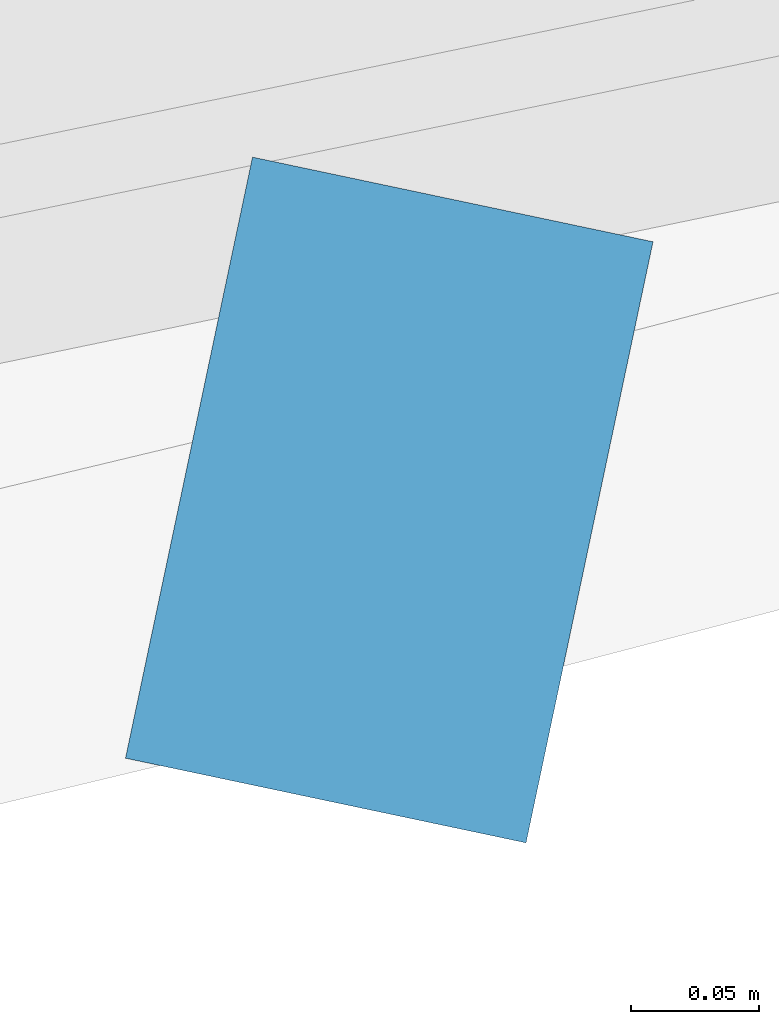
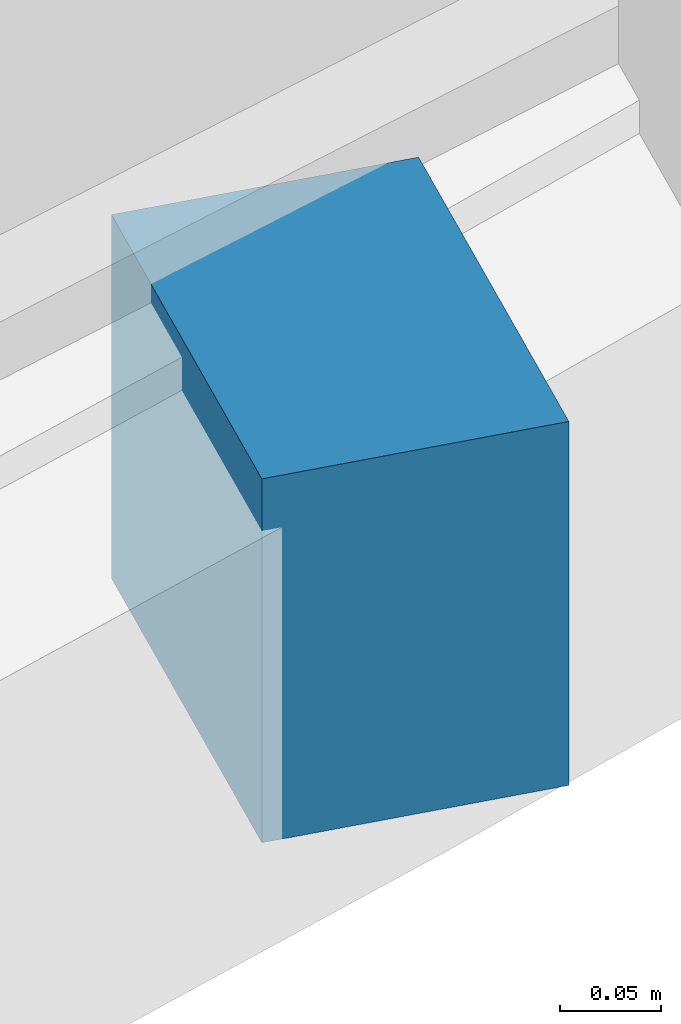
# One storey, part 12 of 18: 1 discrete accessory.
"""IFC4 building model written with IfcOpenShell, lengths in metres."""

from ifc_helpers import new_model, si_unit, direction, frame, origin, origin_2d, place, context, subcontext, project, spatial, rectangle, extrude, material, type_object, element, save


model = new_model("IFC4")

# Units and contexts
model_context = context("Model", 3, precision=1e-05, world=origin(), true_north=direction((0.0, 1.0)))
body_context = subcontext(model_context, "Body", "Model", "MODEL_VIEW")
ifc_project = project(units=[si_unit("LENGTHUNIT", "METRE"), si_unit("AREAUNIT", "SQUARE_METRE"), si_unit("VOLUMEUNIT", "CUBIC_METRE"), si_unit("PLANEANGLEUNIT", "RADIAN"), si_unit("MASSUNIT", "GRAM", prefix="KILO")], contexts=[model_context])

# Site, building, storey
site_placement = place(None, origin())
site = spatial("IfcSite", under=ifc_project, at=site_placement, CompositionType="ELEMENT")
building_placement = place(site_placement, origin())
building = spatial("IfcBuilding", under=site, at=building_placement, Name="Savorim Split Tower", CompositionType="ELEMENT")
storey_placement = place(building_placement, frame((0.0, 0.0, 40.800048828125)))
storey = spatial("IfcBuildingStorey", under=building, at=storey_placement, Name="L10", CompositionType="ELEMENT", Elevation=40.800048828125)

# Discrete accessory
ifc_material = material(Name="Steel S355", Category="steel")
discrete_accessory_type = type_object("IfcDiscreteAccessoryType", Name="ACC-BRK-FIN", PredefinedType="BRACKET", material=ifc_material)
discrete_accessory_placement = place(storey_placement, frame((26.241943359375, -19.881591796875, -0.18994140625), z_axis=(0.0, 0.0, 1.0), x_axis=(-0.206721626106, -0.978399800337, 0.0)))
element("IfcDiscreteAccessory", 1, at=discrete_accessory_placement, inside=storey, type_object=discrete_accessory_type, Name="L10 Fin Slab-Edge Cleat Bracket 13", PredefinedType="BRACKET", context=body_context, shape_type="SweptSolid", body=[
    extrude(rectangle(XDim=0.239990234375, YDim=0.159912109375, at=origin_2d()), origin(), (0.0, 0.0, 1.0), 0.219970703125),
])

save(model, "model.ifc")
